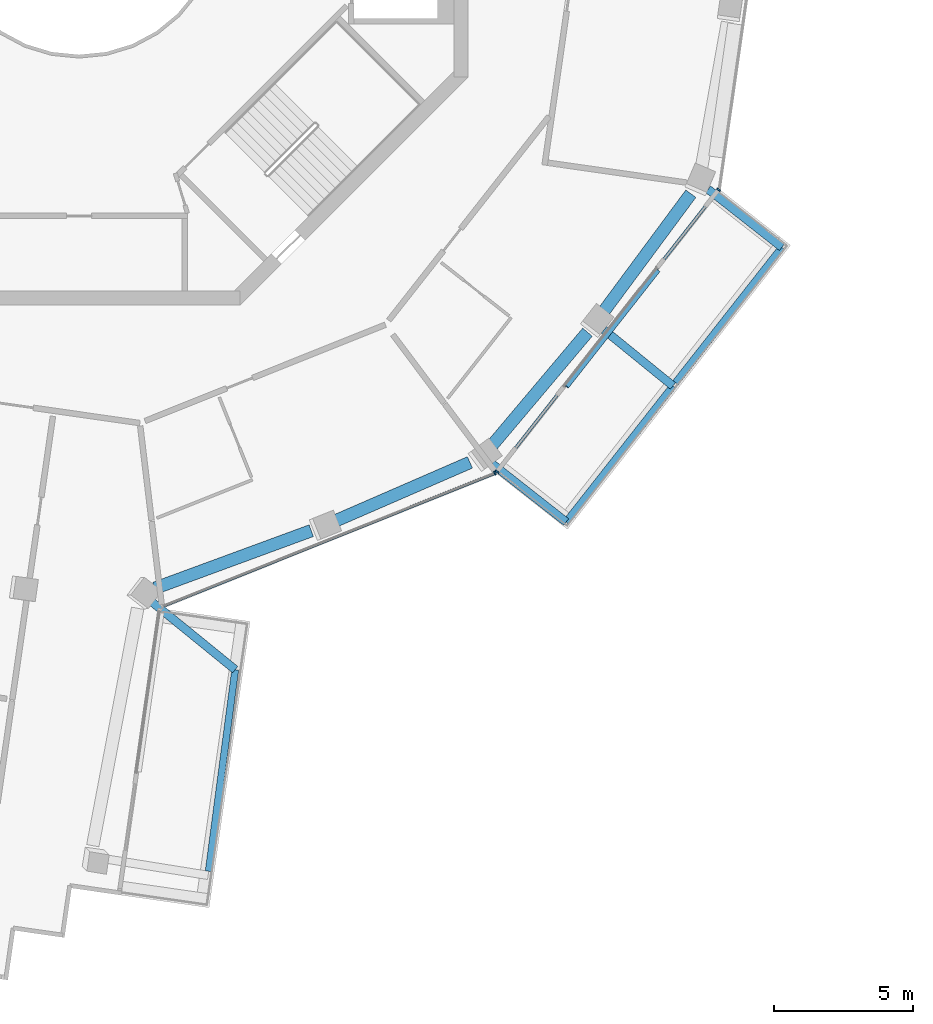
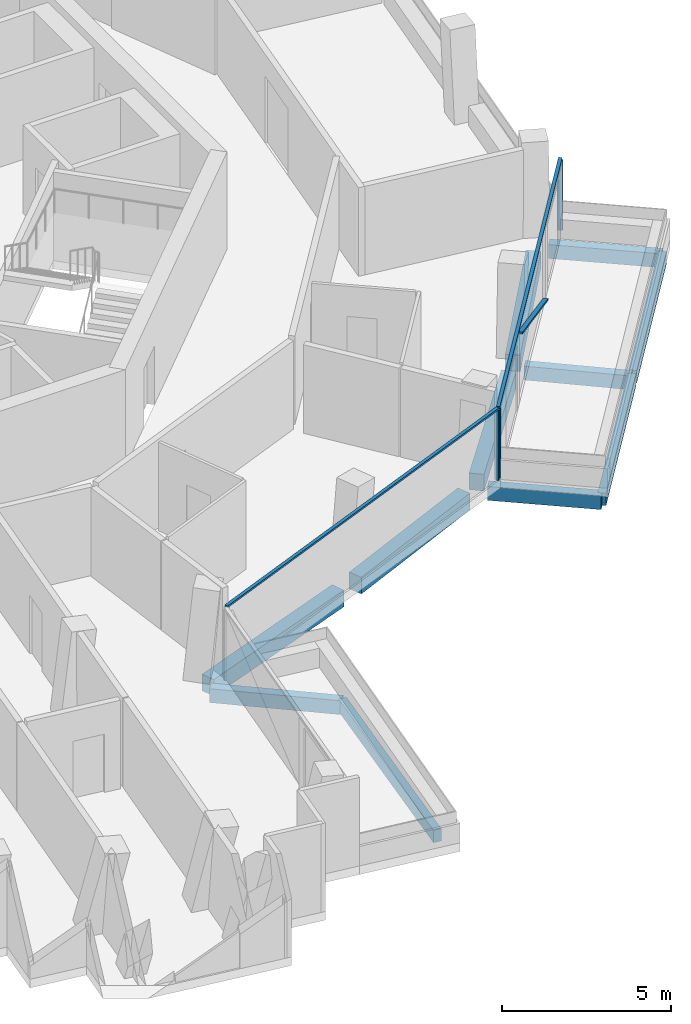
# One storey, part 4 of 23: 11 beams, 6 members, 2 elements without a shape of their own.
"""IFC4 building model written with IfcOpenShell, lengths in metres."""

import ifcopenshell
import ifcopenshell.guid

model = None  # the IFC model being written
_history = None  # IfcOwnerHistory: only IFC2X3 demands one
_inside = {}  # id of a spatial element -> (the spatial element, [elements in it])
_under = {}  # id of a project, library or spatial element -> (it, [spatial elements below it])
_declared = {}  # id of a project -> (the project, [libraries it declares])
_typed = {}  # id of a type object -> (the type object, [elements of that type])
_made_of = {}  # id of a material, layer set ... -> (it, [elements and type objects made of it])


def new_model(schema):
    """Start an empty IFC model of exactly this schema.

    Asked for "IFC4X3", IfcOpenShell would pick the latest addendum, in which some entities
    have other attributes; the version numbers below select the first issue.
    IFC2X3 requires an IfcOwnerHistory on every rooted entity: one is made here for all.
    """
    global model, _history
    if schema == "IFC4X3":
        model = ifcopenshell.file(schema_version=(4, 3, 0, 0))
    else:
        model = ifcopenshell.file(schema=schema)
    _inside.clear()
    _under.clear()
    _declared.clear()
    _typed.clear()
    _made_of.clear()
    _history = None
    if model.schema == "IFC2X3":
        org = make("IfcOrganization", Name="unknown")
        user = make(
            "IfcPersonAndOrganization",
            ThePerson=make("IfcPerson", FamilyName="unknown"),
            TheOrganization=org,
        )
        app = make(
            "IfcApplication",
            ApplicationDeveloper=org,
            Version="unknown",
            ApplicationFullName="unknown",
            ApplicationIdentifier="unknown",
        )
        _history = make(
            "IfcOwnerHistory",
            OwningUser=user,
            OwningApplication=app,
            ChangeAction="ADDED",
            CreationDate=0,
        )
    return model


def make(cls, **values):
    """One entity of the class cls with the attributes given. An attribute that is None is left unset."""
    return model.create_entity(
        cls, **{name: value for name, value in values.items() if value is not None}
    )


def rooted(cls, **values):
    """An entity with a GlobalId (a new one), such as an element, a storey or a relation."""
    return make(cls, GlobalId=ifcopenshell.guid.new(), OwnerHistory=_history, **values)


def si_unit(unit_type, name, prefix=None):
    """IfcSIUnit, for example si_unit("LENGTHUNIT", "METRE", prefix="MILLI")."""
    return make("IfcSIUnit", UnitType=unit_type, Prefix=prefix, Name=name)


def assignment(units):
    """IfcUnitAssignment: the units of a project."""
    return None if units is None else make("IfcUnitAssignment", Units=units)


def point(xyz):
    """IfcCartesianPoint."""
    return None if xyz is None else make("IfcCartesianPoint", Coordinates=xyz)


def direction(xyz):
    """IfcDirection."""
    return None if xyz is None else make("IfcDirection", DirectionRatios=xyz)


def frame(location, z_axis=None, x_axis=None):
    """IfcAxis2Placement3D, a coordinate frame: its origin and axes. An axis left out is left unset."""
    return make(
        "IfcAxis2Placement3D",
        Location=point(location),
        Axis=direction(z_axis),
        RefDirection=direction(x_axis),
    )


def frame_2d(location, x_axis=None):
    """IfcAxis2Placement2D, a coordinate frame in the plane: its origin and x axis."""
    return make(
        "IfcAxis2Placement2D", Location=point(location), RefDirection=direction(x_axis)
    )


def origin():
    """The frame at (0, 0, 0) with its axes left unset."""
    return frame((0.0, 0.0, 0.0))


def origin_2d():
    """The frame at (0, 0) in the plane with its x axis left unset."""
    return frame_2d((0.0, 0.0))


def place(relative_to, where):
    """IfcLocalPlacement: puts the frame where relative to a parent placement (None: the world)."""
    return make(
        "IfcLocalPlacement", PlacementRelTo=relative_to, RelativePlacement=where
    )


def context(
    kind, dimensions, precision=None, world=None, true_north=None, identifier=None
):
    """IfcGeometricRepresentationContext, for example the 3D "Model" context."""
    return make(
        "IfcGeometricRepresentationContext",
        ContextIdentifier=identifier,
        ContextType=kind,
        CoordinateSpaceDimension=dimensions,
        Precision=precision,
        WorldCoordinateSystem=world,
        TrueNorth=true_north,
    )


def subcontext(parent, identifier, kind, view, scale=None):
    """IfcGeometricRepresentationSubContext, for example "Body" below "Model"."""
    return make(
        "IfcGeometricRepresentationSubContext",
        ContextIdentifier=identifier,
        ContextType=kind,
        ParentContext=parent,
        TargetScale=scale,
        TargetView=view,
    )


def project(units=None, contexts=None):
    """IfcProject with its units and contexts."""
    return rooted(
        "IfcProject",
        Name="project",
        RepresentationContexts=contexts,
        UnitsInContext=assignment(units),
    )


def spatial(cls, under=None, at=None, **own):
    """A site, building, storey or space (cls), placed at a placement, below another one or the project."""
    s = rooted(cls, ObjectPlacement=at, **own)
    if under is not None:
        _under.setdefault(under.id(), (under, []))[1].append(s)
    return s


def profile(cls, at=None, kind="AREA", **sizes):
    """A parametric profile (cls). Its sizes go by their IFC names, for example OverallWidth=200.0."""
    return make(cls, ProfileType=kind, Position=at, **sizes)


def rectangle(**sizes):
    """IfcRectangleProfileDef."""
    return profile("IfcRectangleProfileDef", **sizes)


def extrude(swept, where, along, depth):
    """IfcExtrudedAreaSolid: the profile swept, set in the frame where, extruded along a direction by depth."""
    return make(
        "IfcExtrudedAreaSolid",
        SweptArea=swept,
        Position=where,
        ExtrudedDirection=direction(along),
        Depth=depth,
    )


def shape(context_of_items, identifier, shape_type, items):
    """IfcShapeRepresentation: the items that make up one representation, for example the "Body"."""
    return make(
        "IfcShapeRepresentation",
        ContextOfItems=context_of_items,
        RepresentationIdentifier=identifier,
        RepresentationType=shape_type,
        Items=items,
    )


def material(Name=None, Category=None):
    """IfcMaterial."""
    return make("IfcMaterial", Name=Name, Category=Category)


def layer(
    of_material, thickness, ventilated=None, Name=None, Category=None, Priority=None
):
    """IfcMaterialLayer: one layer of a wall or slab, of a material (None: an air gap)."""
    return make(
        "IfcMaterialLayer",
        Material=of_material,
        LayerThickness=thickness,
        IsVentilated=ventilated,
        Name=Name,
        Category=Category,
        Priority=Priority,
    )


def layer_set(layers, Name=None):
    """IfcMaterialLayerSet."""
    return make("IfcMaterialLayerSet", MaterialLayers=layers, LayerSetName=Name)


def material_profile(
    of_material, cross_section, Name=None, Category=None, Priority=None
):
    """IfcMaterialProfile: a cross section and its material."""
    return make(
        "IfcMaterialProfile",
        Name=Name,
        Material=of_material,
        Profile=cross_section,
        Priority=Priority,
        Category=Category,
    )


def profile_set(profiles, Name=None, composite=None):
    """IfcMaterialProfileSet."""
    return make(
        "IfcMaterialProfileSet",
        Name=Name,
        MaterialProfiles=profiles,
        CompositeProfile=composite,
    )


def made_of(thing, what):
    """Note that an element or type object is made of a material, layer set ...; save() writes the relation."""
    if what is not None:
        _made_of.setdefault(what.id(), (what, []))[1].append(thing)
    return thing


def type_object(cls, material=None, **own):
    """A type object (cls), such as IfcWallType, which elements share."""
    return made_of(rooted(cls, **own), material)


def element(
    cls,
    number,
    at=None,
    inside=None,
    cuts=None,
    type_object=None,
    material=None,
    context=None,
    identifier="Body",
    shape_type=None,
    held_by="IfcProductDefinitionShape",
    body=None,
    shapes=None,
    **own,
):
    """One element of the class cls, such as IfcWall. Its Tag is "e" and its number.

    at: its placement. inside: the storey or other place that contains it. cuts: it is an
    opening in that element (IfcRelVoidsElement). A single representation is given by context,
    identifier, shape_type and body (its items); several are given by shapes. held_by: the class
    of the entity that holds the representations. save() writes the other relations.
    """
    e = rooted(cls, Tag="e%d" % number, ObjectPlacement=at, **own)
    if body is not None:
        shapes = [shape(context, identifier, shape_type, body)]
    if shapes is not None:
        e.Representation = make(held_by, Representations=shapes)
    if inside is not None:
        _inside.setdefault(inside.id(), (inside, []))[1].append(e)
    if cuts is not None:
        rooted(
            "IfcRelVoidsElement", RelatingBuildingElement=cuts, RelatedOpeningElement=e
        )
    if type_object is not None:
        _typed.setdefault(type_object.id(), (type_object, []))[1].append(e)
    return made_of(e, material)


def aggregate(whole, parts):
    """IfcRelAggregates: a whole, such as a stair, and the parts it consists of."""
    return rooted("IfcRelAggregates", RelatingObject=whole, RelatedObjects=parts)


def save(model, path):
    """Write the relations noted so far, then the file.

    IfcRelAggregates (storeys below a building ...), IfcRelContainedInSpatialStructure (elements
    in a storey), IfcRelDefinesByType, IfcRelAssociatesMaterial and IfcRelDeclares: one each for
    every whole, place, type object, material and project.
    """
    for whole, parts in _under.values():
        aggregate(whole, parts)
    for where, things in _inside.values():
        rooted(
            "IfcRelContainedInSpatialStructure",
            RelatedElements=things,
            RelatingStructure=where,
        )
    for kind, things in _typed.values():
        rooted("IfcRelDefinesByType", RelatedObjects=things, RelatingType=kind)
    for what, things in _made_of.values():
        rooted("IfcRelAssociatesMaterial", RelatedObjects=things, RelatingMaterial=what)
    for by, libraries in _declared.values():
        rooted("IfcRelDeclares", RelatingContext=by, RelatedDefinitions=libraries)
    model.write(path)


model = new_model("IFC4")

# Units and contexts
model_context = context("Model", 3, precision=1e-05, world=origin(), true_north=direction((0.0, 1.0)))
body_context = subcontext(model_context, "Body", "Model", "MODEL_VIEW")
ifc_project = project(units=[si_unit("LENGTHUNIT", "METRE"), si_unit("AREAUNIT", "SQUARE_METRE"), si_unit("VOLUMEUNIT", "CUBIC_METRE"), si_unit("PLANEANGLEUNIT", "RADIAN"), si_unit("MASSUNIT", "GRAM", prefix="KILO")], contexts=[model_context])

# Site, building, storey
site_placement = place(None, origin())
site = spatial("IfcSite", under=ifc_project, at=site_placement, CompositionType="ELEMENT")
building_placement = place(site_placement, origin())
building = spatial("IfcBuilding", under=site, at=building_placement, Name="Verdalira Terraces Hotel", CompositionType="ELEMENT")
storey_placement = place(building_placement, frame((0.0, 0.0, 244.5)))
storey = spatial("IfcBuildingStorey", under=building, at=storey_placement, Name="L60", CompositionType="ELEMENT", Elevation=244.5)

# Beams
ifc_material_1 = material(Name="Concrete C40", Category="concrete")
ifc_material_profile_1 = material_profile(ifc_material_1, rectangle(XDim=0.300049, YDim=0.5, at=origin_2d()), Name="RC 300X500")
ifc_profile_set_1 = profile_set([ifc_material_profile_1], Name="Concrete C40")
beam_type_1 = type_object("IfcBeamType", Name="Balcony cantilever beam RC 300X500 C40", PredefinedType="BEAM", material=ifc_profile_set_1)
beam_1_placement = place(storey_placement, frame((2.556885, -24.634277, -0.560059), z_axis=(0.775851148, -0.630915998, 0.0), x_axis=(0.630915998, 0.775851148, 0.0)))
element("IfcBeam", 1, at=beam_1_placement, inside=storey, type_object=beam_type_1, Name="Balcony cantilever beam R24-2", PredefinedType="BEAM", context=body_context, shape_type="SweptSolid", body=[
    extrude(rectangle(XDim=0.300049, YDim=0.5, at=origin_2d()), origin(), (0.0, 0.0, 1.0), 3.950195),
])
beam_2_placement = place(storey_placement, frame((14.859619, -19.7146, -0.560059), z_axis=(0.786250931, -0.617907334, 0.0), x_axis=(0.617907334, 0.786250931, 0.0)))
element("IfcBeam", 2, at=beam_2_placement, inside=storey, type_object=beam_type_1, Name="Balcony cantilever beam R26-1", PredefinedType="BEAM", context=body_context, shape_type="SweptSolid", body=[
    extrude(rectangle(XDim=0.300049, YDim=0.5, at=origin_2d()), origin(), (0.0, 0.0, 1.0), 3.393555),
])
beam_3_placement = place(storey_placement, frame((18.890625, -14.897217, -0.560059), z_axis=(0.775805961, -0.630971561, 0.0), x_axis=(0.630971561, 0.775805961, 0.0)))
element("IfcBeam", 3, at=beam_3_placement, inside=storey, type_object=beam_type_1, Name="Balcony cantilever beam R26-2", PredefinedType="BEAM", context=body_context, shape_type="SweptSolid", body=[
    extrude(rectangle(XDim=0.300049, YDim=0.5, at=origin_2d()), origin(), (0.0, 0.0, 1.0), 3.201172),
])
beam_4_placement = place(storey_placement, frame((22.638428, -9.839355, -0.560059), z_axis=(0.786260664, -0.617894949, 0.0), x_axis=(0.617894949, 0.786260664, 0.0)))
element("IfcBeam", 4, at=beam_4_placement, inside=storey, type_object=beam_type_1, Name="Balcony cantilever beam R26-3", PredefinedType="BEAM", context=body_context, shape_type="SweptSolid", body=[
    extrude(rectangle(XDim=0.300049, YDim=0.5, at=origin_2d()), origin(), (0.0, 0.0, 1.0), 3.378662),
])
ifc_material_2 = material(Name="Concrete C40", Category="concrete")
ifc_material_profile_2 = material_profile(ifc_material_2, rectangle(XDim=0.25, YDim=0.449951, at=origin_2d()), Name="RC 250X450")
ifc_profile_set_2 = profile_set([ifc_material_profile_2], Name="Concrete C40")
beam_type_2 = type_object("IfcBeamType", Name="Balcony edge beam RC 250X450 C40", PredefinedType="BEAM", material=ifc_profile_set_2)
beam_5_placement = place(storey_placement, frame((4.665771, -34.380127, -0.534912), z_axis=(0.130640096, 0.991429859, 0.0), x_axis=(-0.991429859, 0.130640096, 0.0)))
element("IfcBeam", 5, at=beam_5_placement, inside=storey, type_object=beam_type_2, Name="Balcony edge beam R24-1", PredefinedType="BEAM", context=body_context, shape_type="SweptSolid", body=[
    extrude(rectangle(XDim=0.25, YDim=0.449951, at=origin_2d()), origin(), (0.0, 0.0, 1.0), 7.316406),
])
beam_6_placement = place(storey_placement, frame((17.527832, -21.811523, -0.534912), z_axis=(0.61787005, 0.786280231, 0.0), x_axis=(-0.786280231, 0.61787005, 0.0)))
element("IfcBeam", 6, at=beam_6_placement, inside=storey, type_object=beam_type_2, Name="Balcony edge beam R26-1", PredefinedType="BEAM", context=body_context, shape_type="SweptSolid", body=[
    extrude(rectangle(XDim=0.25, YDim=0.449951, at=origin_2d()), origin(), (0.0, 0.0, 1.0), 6.224854),
])
beam_7_placement = place(storey_placement, frame((21.466797, -16.798828, -0.534912), z_axis=(0.617847655, 0.786297829, 0.0), x_axis=(-0.786297829, 0.617847655, 0.0)))
element("IfcBeam", 7, at=beam_7_placement, inside=storey, type_object=beam_type_2, Name="Balcony edge beam R26-2", PredefinedType="BEAM", context=body_context, shape_type="SweptSolid", body=[
    extrude(rectangle(XDim=0.25, YDim=0.449951, at=origin_2d()), origin(), (0.0, 0.0, 1.0), 6.195801),
])

# Curtain wall, member
ifc_material_3 = material(Name="Clear glass", Category="glass")
ifc_layer = layer(ifc_material_3, 0.14990234375)
ifc_layer_set = layer_set([ifc_layer], Name="CW1 curtain wall")
curtain_wall_type = type_object("IfcCurtainWallType", Name="CW1 curtain wall", PredefinedType="NOTDEFINED", material=ifc_layer_set)
curtain_wall_1_placement = place(storey_placement, origin())
curtain_wall_1 = element("IfcCurtainWall", 8, at=curtain_wall_1_placement, inside=storey, type_object=curtain_wall_type, Name="CW1 curtain wall L60 edge 25", PredefinedType="NOTDEFINED")
ifc_material_4 = material(Name="Terracotta frame", Category="masonry")
ifc_material_profile_3 = material_profile(ifc_material_4, rectangle(XDim=0.060059, YDim=0.149902, at=origin_2d()), Name="MU 60x150")
ifc_profile_set_3 = profile_set([ifc_material_profile_3], Name="Terracotta frame")
member_type_1 = type_object("IfcMemberType", Name="CW1 mullion 60x150", PredefinedType="MULLION", material=ifc_profile_set_3)
member_1_placement = place(storey_placement, frame((14.964844, -20.055664, 0.0), z_axis=(0.0, 0.0, 1.0), x_axis=(0.928226337, 0.37201595, 0.0)))
member_1 = element("IfcMember", 9, at=member_1_placement, type_object=member_type_1, Name="CW1 mullion", PredefinedType="MULLION", context=body_context, shape_type="SweptSolid", body=[
    extrude(rectangle(XDim=0.060059, YDim=0.149902, at=origin_2d()), origin(), (0.0, 0.0, 1.0), 2.524902),
])

# Curtain wall, members
curtain_wall_2_placement = place(storey_placement, origin())
curtain_wall_2 = element("IfcCurtainWall", 10, at=curtain_wall_2_placement, inside=storey, type_object=curtain_wall_type, Name="CW1 curtain wall L60 edge 26", PredefinedType="NOTDEFINED")
member_2_placement = place(storey_placement, frame((15.042236, -19.997559, 0.0), z_axis=(0.0, 0.0, 1.0), x_axis=(0.617859613, 0.786288432, 0.0)))
member_2 = element("IfcMember", 11, at=member_2_placement, type_object=member_type_1, Name="CW1 mullion", PredefinedType="MULLION", context=body_context, shape_type="SweptSolid", body=[
    extrude(rectangle(XDim=0.060059, YDim=0.149902, at=origin_2d()), origin(), (0.0, 0.0, 1.0), 2.524902),
])
member_3_placement = place(storey_placement, frame((23.012695, -9.854736, 0.0), z_axis=(0.0, 0.0, 1.0), x_axis=(0.617859613, 0.786288432, 0.0)))
member_3 = element("IfcMember", 12, at=member_3_placement, type_object=member_type_1, Name="CW1 mullion", PredefinedType="MULLION", context=body_context, shape_type="SweptSolid", body=[
    extrude(rectangle(XDim=0.060059, YDim=0.149902, at=origin_2d()), origin(), (0.0, 0.0, 1.0), 2.524902),
])

# Member
ifc_material_5 = material(Name="Terracotta frame", Category="masonry")
ifc_material_profile_4 = material_profile(ifc_material_5, rectangle(XDim=0.110107, YDim=0.064941, at=origin_2d()), Name="TR 65x110")
ifc_profile_set_4 = profile_set([ifc_material_profile_4], Name="Terracotta frame")
member_type_2 = type_object("IfcMemberType", Name="CW1 transom 65x110", PredefinedType="USERDEFINED", material=ifc_profile_set_4)
member_4_placement = place(storey_placement, frame((2.963135, -24.865723, 2.557617), z_axis=(0.928224432, 0.372020703, 0.0), x_axis=(-0.372020703, 0.928224432, 0.0)))
member_4 = element("IfcMember", 13, at=member_4_placement, type_object=member_type_2, Name="CW1 transom", ObjectType="TRANSOM", PredefinedType="USERDEFINED", context=body_context, shape_type="SweptSolid", body=[
    extrude(rectangle(XDim=0.110107, YDim=0.064941, at=origin_2d()), origin(), (0.0, 0.0, 1.0), 12.959717),
])

aggregate(curtain_wall_1, [member_1, member_4])

member_5_placement = place(storey_placement, frame((15.023926, -20.02124, 2.557617), z_axis=(0.617857326, 0.786290229, 0.0), x_axis=(-0.786290229, 0.617857326, 0.0)))
member_5 = element("IfcMember", 14, at=member_5_placement, type_object=member_type_2, Name="CW1 transom", ObjectType="TRANSOM", PredefinedType="USERDEFINED", context=body_context, shape_type="SweptSolid", body=[
    extrude(rectangle(XDim=0.110107, YDim=0.064941, at=origin_2d()), origin(), (0.0, 0.0, 1.0), 12.959717),
])

ifc_material_6 = material(Name="Terracotta frame", Category="masonry")
ifc_material_profile_5 = material_profile(ifc_material_6, rectangle(XDim=0.149902, YDim=0.060059, at=origin_2d()), Name="GB 60x150")
ifc_profile_set_5 = profile_set([ifc_material_profile_5], Name="Terracotta frame")
member_type_3 = type_object("IfcMemberType", Name="Diagonal glazing bar 60x150", PredefinedType="USERDEFINED", material=ifc_profile_set_5)
member_6_placement = place(storey_placement, frame((17.554932, -16.944092, 2.49707), z_axis=(0.56028519, 0.713037196, -0.421495509), x_axis=(-0.78629601, 0.617849969, 0.0)))
member_6 = element("IfcMember", 15, at=member_6_placement, type_object=member_type_3, Name="Diagonal glazing bar", ObjectType="GLAZING BAR", PredefinedType="USERDEFINED", context=body_context, shape_type="SweptSolid", body=[
    extrude(rectangle(XDim=0.149902, YDim=0.060059, at=origin_2d()), origin(), (0.0, 0.0, 1.0), 5.857666),
])

aggregate(curtain_wall_2, [member_2, member_3, member_5, member_6])

# Beams
ifc_material_7 = material(Name="Concrete C40", Category="concrete")
ifc_material_profile_6 = material_profile(ifc_material_7, rectangle(XDim=0.449951, YDim=0.600098, at=origin_2d()), Name="RC 450X600")
ifc_profile_set_6 = profile_set([ifc_material_profile_6], Name="Concrete C40")
beam_type_3 = type_object("IfcBeamType", Name="Spandrel beam RC 450X600 C40", PredefinedType="SPANDREL", material=ifc_profile_set_6)
beam_8_placement = place(storey_placement, frame((2.726074, -24.195801, -0.610107), z_axis=(0.93855762, 0.345122579, 0.0), x_axis=(-0.345122579, 0.93855762, 0.0)))
element("IfcBeam", 16, at=beam_8_placement, inside=storey, type_object=beam_type_3, Name="Spandrel beam B11", PredefinedType="SPANDREL", context=body_context, shape_type="SweptSolid", body=[
    extrude(rectangle(XDim=0.449951, YDim=0.600098, at=origin_2d()), origin(), (0.0, 0.0, 1.0), 5.999512),
])
beam_9_placement = place(storey_placement, frame((9.120117, -21.818848, -0.610107), z_axis=(0.917093799, 0.3986715, 0.0), x_axis=(-0.3986715, 0.917093799, 0.0)))
element("IfcBeam", 17, at=beam_9_placement, inside=storey, type_object=beam_type_3, Name="Spandrel beam B12", PredefinedType="SPANDREL", context=body_context, shape_type="SweptSolid", body=[
    extrude(rectangle(XDim=0.449951, YDim=0.600098, at=origin_2d()), origin(), (0.0, 0.0, 1.0), 5.394531),
])
beam_10_placement = place(storey_placement, frame((14.816895, -19.10791, -0.610107), z_axis=(0.644769362, 0.764377178, 0.0), x_axis=(-0.764377178, 0.644769362, 0.0)))
element("IfcBeam", 18, at=beam_10_placement, inside=storey, type_object=beam_type_3, Name="Spandrel beam B13", PredefinedType="SPANDREL", context=body_context, shape_type="SweptSolid", body=[
    extrude(rectangle(XDim=0.449951, YDim=0.600098, at=origin_2d()), origin(), (0.0, 0.0, 1.0), 5.396973),
])
beam_11_placement = place(storey_placement, frame((18.807617, -14.335693, -0.610107), z_axis=(0.594897396, 0.803801647, 0.0), x_axis=(-0.803801647, 0.594897396, 0.0)))
element("IfcBeam", 19, at=beam_11_placement, inside=storey, type_object=beam_type_3, Name="Spandrel beam B14", PredefinedType="SPANDREL", context=body_context, shape_type="SweptSolid", body=[
    extrude(rectangle(XDim=0.449951, YDim=0.600098, at=origin_2d()), origin(), (0.0, 0.0, 1.0), 5.394531),
])

save(model, "model.ifc")
